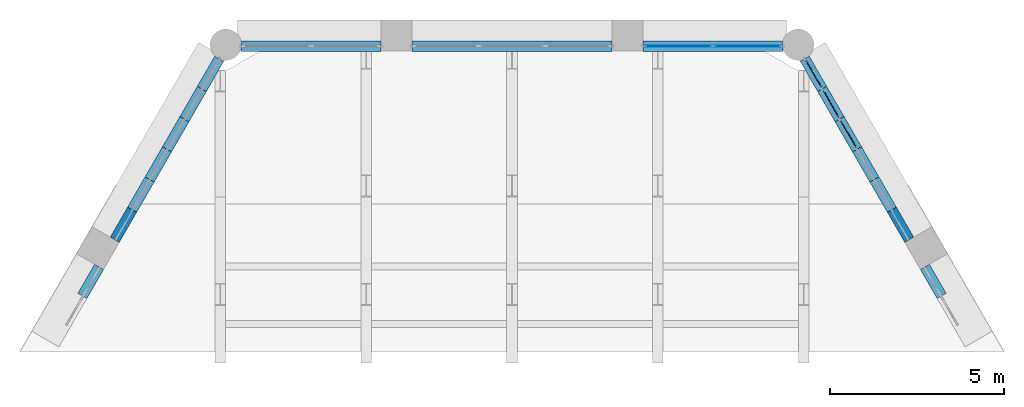
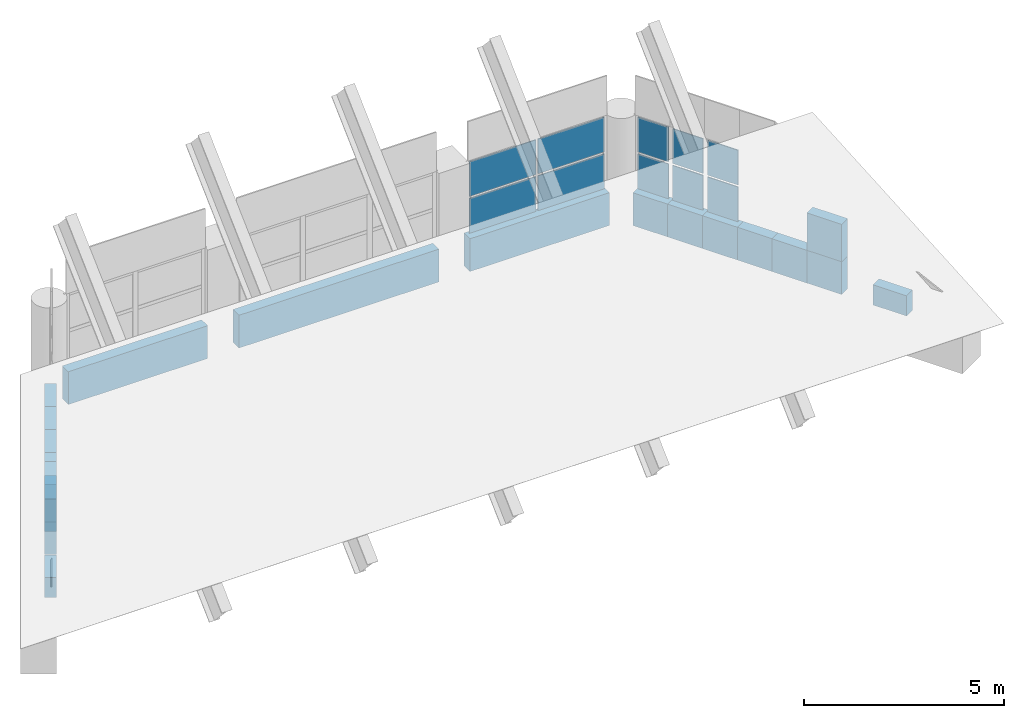
# One storey, part 10 of 11: 19 walls, 10 plates, 4 elements without a shape of their own.
"""IFC4 building model written with IfcOpenShell, lengths in metres."""

import ifcopenshell
import ifcopenshell.guid

model = None  # the IFC model being written
_history = None  # IfcOwnerHistory: only IFC2X3 demands one
_inside = {}  # id of a spatial element -> (the spatial element, [elements in it])
_under = {}  # id of a project, library or spatial element -> (it, [spatial elements below it])
_declared = {}  # id of a project -> (the project, [libraries it declares])
_typed = {}  # id of a type object -> (the type object, [elements of that type])
_made_of = {}  # id of a material, layer set ... -> (it, [elements and type objects made of it])


def new_model(schema):
    """Start an empty IFC model of exactly this schema.

    Asked for "IFC4X3", IfcOpenShell would pick the latest addendum, in which some entities
    have other attributes; the version numbers below select the first issue.
    IFC2X3 requires an IfcOwnerHistory on every rooted entity: one is made here for all.
    """
    global model, _history
    if schema == "IFC4X3":
        model = ifcopenshell.file(schema_version=(4, 3, 0, 0))
    else:
        model = ifcopenshell.file(schema=schema)
    _inside.clear()
    _under.clear()
    _declared.clear()
    _typed.clear()
    _made_of.clear()
    _history = None
    if model.schema == "IFC2X3":
        org = make("IfcOrganization", Name="unknown")
        user = make(
            "IfcPersonAndOrganization",
            ThePerson=make("IfcPerson", FamilyName="unknown"),
            TheOrganization=org,
        )
        app = make(
            "IfcApplication",
            ApplicationDeveloper=org,
            Version="unknown",
            ApplicationFullName="unknown",
            ApplicationIdentifier="unknown",
        )
        _history = make(
            "IfcOwnerHistory",
            OwningUser=user,
            OwningApplication=app,
            ChangeAction="ADDED",
            CreationDate=0,
        )
    return model


def make(cls, **values):
    """One entity of the class cls with the attributes given. An attribute that is None is left unset."""
    return model.create_entity(
        cls, **{name: value for name, value in values.items() if value is not None}
    )


def rooted(cls, **values):
    """An entity with a GlobalId (a new one), such as an element, a storey or a relation."""
    return make(cls, GlobalId=ifcopenshell.guid.new(), OwnerHistory=_history, **values)


def si_unit(unit_type, name, prefix=None):
    """IfcSIUnit, for example si_unit("LENGTHUNIT", "METRE", prefix="MILLI")."""
    return make("IfcSIUnit", UnitType=unit_type, Prefix=prefix, Name=name)


def assignment(units):
    """IfcUnitAssignment: the units of a project."""
    return None if units is None else make("IfcUnitAssignment", Units=units)


def point(xyz):
    """IfcCartesianPoint."""
    return None if xyz is None else make("IfcCartesianPoint", Coordinates=xyz)


def direction(xyz):
    """IfcDirection."""
    return None if xyz is None else make("IfcDirection", DirectionRatios=xyz)


def frame(location, z_axis=None, x_axis=None):
    """IfcAxis2Placement3D, a coordinate frame: its origin and axes. An axis left out is left unset."""
    return make(
        "IfcAxis2Placement3D",
        Location=point(location),
        Axis=direction(z_axis),
        RefDirection=direction(x_axis),
    )


def frame_2d(location, x_axis=None):
    """IfcAxis2Placement2D, a coordinate frame in the plane: its origin and x axis."""
    return make(
        "IfcAxis2Placement2D", Location=point(location), RefDirection=direction(x_axis)
    )


def origin():
    """The frame at (0, 0, 0) with its axes left unset."""
    return frame((0.0, 0.0, 0.0))


def origin_2d():
    """The frame at (0, 0) in the plane with its x axis left unset."""
    return frame_2d((0.0, 0.0))


def place(relative_to, where):
    """IfcLocalPlacement: puts the frame where relative to a parent placement (None: the world)."""
    return make(
        "IfcLocalPlacement", PlacementRelTo=relative_to, RelativePlacement=where
    )


def context(
    kind, dimensions, precision=None, world=None, true_north=None, identifier=None
):
    """IfcGeometricRepresentationContext, for example the 3D "Model" context."""
    return make(
        "IfcGeometricRepresentationContext",
        ContextIdentifier=identifier,
        ContextType=kind,
        CoordinateSpaceDimension=dimensions,
        Precision=precision,
        WorldCoordinateSystem=world,
        TrueNorth=true_north,
    )


def subcontext(parent, identifier, kind, view, scale=None):
    """IfcGeometricRepresentationSubContext, for example "Body" below "Model"."""
    return make(
        "IfcGeometricRepresentationSubContext",
        ContextIdentifier=identifier,
        ContextType=kind,
        ParentContext=parent,
        TargetScale=scale,
        TargetView=view,
    )


def project(units=None, contexts=None):
    """IfcProject with its units and contexts."""
    return rooted(
        "IfcProject",
        Name="project",
        RepresentationContexts=contexts,
        UnitsInContext=assignment(units),
    )


def spatial(cls, under=None, at=None, **own):
    """A site, building, storey or space (cls), placed at a placement, below another one or the project."""
    s = rooted(cls, ObjectPlacement=at, **own)
    if under is not None:
        _under.setdefault(under.id(), (under, []))[1].append(s)
    return s


def profile(cls, at=None, kind="AREA", **sizes):
    """A parametric profile (cls). Its sizes go by their IFC names, for example OverallWidth=200.0."""
    return make(cls, ProfileType=kind, Position=at, **sizes)


def rectangle(**sizes):
    """IfcRectangleProfileDef."""
    return profile("IfcRectangleProfileDef", **sizes)


def extrude(swept, where, along, depth):
    """IfcExtrudedAreaSolid: the profile swept, set in the frame where, extruded along a direction by depth."""
    return make(
        "IfcExtrudedAreaSolid",
        SweptArea=swept,
        Position=where,
        ExtrudedDirection=direction(along),
        Depth=depth,
    )


def shape(context_of_items, identifier, shape_type, items):
    """IfcShapeRepresentation: the items that make up one representation, for example the "Body"."""
    return make(
        "IfcShapeRepresentation",
        ContextOfItems=context_of_items,
        RepresentationIdentifier=identifier,
        RepresentationType=shape_type,
        Items=items,
    )


def material(Name=None, Category=None):
    """IfcMaterial."""
    return make("IfcMaterial", Name=Name, Category=Category)


def layer(
    of_material, thickness, ventilated=None, Name=None, Category=None, Priority=None
):
    """IfcMaterialLayer: one layer of a wall or slab, of a material (None: an air gap)."""
    return make(
        "IfcMaterialLayer",
        Material=of_material,
        LayerThickness=thickness,
        IsVentilated=ventilated,
        Name=Name,
        Category=Category,
        Priority=Priority,
    )


def layer_set(layers, Name=None):
    """IfcMaterialLayerSet."""
    return make("IfcMaterialLayerSet", MaterialLayers=layers, LayerSetName=Name)


def made_of(thing, what):
    """Note that an element or type object is made of a material, layer set ...; save() writes the relation."""
    if what is not None:
        _made_of.setdefault(what.id(), (what, []))[1].append(thing)
    return thing


def type_object(cls, material=None, **own):
    """A type object (cls), such as IfcWallType, which elements share."""
    return made_of(rooted(cls, **own), material)


def element(
    cls,
    number,
    at=None,
    inside=None,
    cuts=None,
    type_object=None,
    material=None,
    context=None,
    identifier="Body",
    shape_type=None,
    held_by="IfcProductDefinitionShape",
    body=None,
    shapes=None,
    **own,
):
    """One element of the class cls, such as IfcWall. Its Tag is "e" and its number.

    at: its placement. inside: the storey or other place that contains it. cuts: it is an
    opening in that element (IfcRelVoidsElement). A single representation is given by context,
    identifier, shape_type and body (its items); several are given by shapes. held_by: the class
    of the entity that holds the representations. save() writes the other relations.
    """
    e = rooted(cls, Tag="e%d" % number, ObjectPlacement=at, **own)
    if body is not None:
        shapes = [shape(context, identifier, shape_type, body)]
    if shapes is not None:
        e.Representation = make(held_by, Representations=shapes)
    if inside is not None:
        _inside.setdefault(inside.id(), (inside, []))[1].append(e)
    if cuts is not None:
        rooted(
            "IfcRelVoidsElement", RelatingBuildingElement=cuts, RelatedOpeningElement=e
        )
    if type_object is not None:
        _typed.setdefault(type_object.id(), (type_object, []))[1].append(e)
    return made_of(e, material)


def aggregate(whole, parts):
    """IfcRelAggregates: a whole, such as a stair, and the parts it consists of."""
    return rooted("IfcRelAggregates", RelatingObject=whole, RelatedObjects=parts)


def save(model, path):
    """Write the relations noted so far, then the file.

    IfcRelAggregates (storeys below a building ...), IfcRelContainedInSpatialStructure (elements
    in a storey), IfcRelDefinesByType, IfcRelAssociatesMaterial and IfcRelDeclares: one each for
    every whole, place, type object, material and project.
    """
    for whole, parts in _under.values():
        aggregate(whole, parts)
    for where, things in _inside.values():
        rooted(
            "IfcRelContainedInSpatialStructure",
            RelatedElements=things,
            RelatingStructure=where,
        )
    for kind, things in _typed.values():
        rooted("IfcRelDefinesByType", RelatedObjects=things, RelatingType=kind)
    for what, things in _made_of.values():
        rooted("IfcRelAssociatesMaterial", RelatedObjects=things, RelatingMaterial=what)
    for by, libraries in _declared.values():
        rooted("IfcRelDeclares", RelatingContext=by, RelatedDefinitions=libraries)
    model.write(path)


model = new_model("IFC4")

# Units and contexts
model_context = context("Model", 3, precision=1e-05, world=origin(), true_north=direction((0.0, 1.0)))
body_context = subcontext(model_context, "Body", "Model", "MODEL_VIEW")
ifc_project = project(units=[si_unit("LENGTHUNIT", "METRE"), si_unit("AREAUNIT", "SQUARE_METRE"), si_unit("VOLUMEUNIT", "CUBIC_METRE"), si_unit("PLANEANGLEUNIT", "RADIAN"), si_unit("MASSUNIT", "GRAM", prefix="KILO")], contexts=[model_context])

# Site, building, storey
site_placement = place(None, origin())
site = spatial("IfcSite", under=ifc_project, at=site_placement, CompositionType="ELEMENT")
building_placement = place(site_placement, origin())
building = spatial("IfcBuilding", under=site, at=building_placement, Name="Ostrander Bayou Hotel Tower", CompositionType="ELEMENT")
storey_placement = place(building_placement, frame((0.0, 0.0, 297.5)))
storey = spatial("IfcBuildingStorey", under=building, at=storey_placement, Name="Roof 73", CompositionType="ELEMENT", Elevation=297.5)

# Curtain wall, plates
ifc_material_1 = material(Name="Aluminium and clear glass", Category="aluminium")
curtain_wall_type = type_object("IfcCurtainWallType", Name="CW-CROWN glazed wall", PredefinedType="NOTDEFINED", material=ifc_material_1)
curtain_wall_1_placement = place(storey_placement, origin())
curtain_wall_1 = element("IfcCurtainWall", 1, at=curtain_wall_1_placement, inside=storey, type_object=curtain_wall_type, Name="CW-CROWN L73:N-1", PredefinedType="NOTDEFINED")
ifc_material_2 = material(Name="Clear laminated glass", Category="glass")
ifc_layer_1 = layer(ifc_material_2, 0.028076171875)
ifc_layer_set_1 = layer_set([ifc_layer_1], Name="CW-CR glazing panel 28 mm")
plate_type = type_object("IfcPlateType", Name="CW-CR glazing panel 28 mm", PredefinedType="CURTAIN_PANEL", material=ifc_layer_set_1)
plate_1_placement = place(storey_placement, frame((6.77685546875, 16.550048828125, 1.06005859375), z_axis=(0.0, 0.0, 1.0), x_axis=(-1.0, 0.0, 0.0)))
plate_1 = element("IfcPlate", 2, at=plate_1_placement, type_object=plate_type, Name="CW-CROWN panel 1.1", PredefinedType="CURTAIN_PANEL", context=body_context, shape_type="SweptSolid", body=[
    extrude(rectangle(XDim=1.918212890625, YDim=0.028076171875, at=origin_2d()), origin(), (0.0, 0.0, 1.0), 1.06005859375),
])
plate_2_placement = place(storey_placement, frame((6.77685546875, 16.550048828125, 2.179931640625), z_axis=(0.0, 0.0, 1.0), x_axis=(-1.0, 0.0, 0.0)))
plate_2 = element("IfcPlate", 3, at=plate_2_placement, type_object=plate_type, Name="CW-CROWN panel 1.2", PredefinedType="CURTAIN_PANEL", context=body_context, shape_type="SweptSolid", body=[
    extrude(rectangle(XDim=1.918212890625, YDim=0.028076171875, at=origin_2d()), origin(), (0.0, 0.0, 1.0), 1.06005859375),
])
plate_3_placement = place(storey_placement, frame((4.798583984375, 16.550048828125, 1.06005859375), z_axis=(0.0, 0.0, 1.0), x_axis=(-1.0, 0.0, 0.0)))
plate_3 = element("IfcPlate", 4, at=plate_3_placement, type_object=plate_type, Name="CW-CROWN panel 2.1", PredefinedType="CURTAIN_PANEL", context=body_context, shape_type="SweptSolid", body=[
    extrude(rectangle(XDim=1.918212890625, YDim=0.028076171875, at=origin_2d()), origin(), (0.0, 0.0, 1.0), 1.06005859375),
])
plate_4_placement = place(storey_placement, frame((4.798583984375, 16.550048828125, 2.179931640625), z_axis=(0.0, 0.0, 1.0), x_axis=(-1.0, 0.0, 0.0)))
plate_4 = element("IfcPlate", 5, at=plate_4_placement, type_object=plate_type, Name="CW-CROWN panel 2.2", PredefinedType="CURTAIN_PANEL", context=body_context, shape_type="SweptSolid", body=[
    extrude(rectangle(XDim=1.918212890625, YDim=0.028076171875, at=origin_2d()), origin(), (0.0, 0.0, 1.0), 1.06005859375),
])
aggregate(curtain_wall_1, [plate_1, plate_2, plate_3, plate_4])

curtain_wall_2_placement = place(storey_placement, origin())
curtain_wall_2 = element("IfcCurtainWall", 6, at=curtain_wall_2_placement, inside=storey, type_object=curtain_wall_type, Name="CW-CROWN L73:NE-3-4", PredefinedType="NOTDEFINED")
plate_5_placement = place(storey_placement, frame((9.68603515625, 14.010498046875, 1.06005859375), z_axis=(0.0, 0.0, 1.0), x_axis=(-0.499998569184, 0.866026229865, 0.0)))
plate_5 = element("IfcPlate", 7, at=plate_5_placement, type_object=plate_type, Name="CW-CROWN panel 1.1", PredefinedType="CURTAIN_PANEL", context=body_context, shape_type="SweptSolid", body=[
    extrude(rectangle(XDim=0.88330078125, YDim=0.028076171875, at=origin_2d()), origin(), (0.0, 0.0, 1.0), 1.06005859375),
])
plate_6_placement = place(storey_placement, frame((9.68603515625, 14.010498046875, 2.179931640625), z_axis=(0.0, 0.0, 1.0), x_axis=(-0.499998569184, 0.866026229865, 0.0)))
plate_6 = element("IfcPlate", 8, at=plate_6_placement, type_object=plate_type, Name="CW-CROWN panel 1.2", PredefinedType="CURTAIN_PANEL", context=body_context, shape_type="SweptSolid", body=[
    extrude(rectangle(XDim=0.88330078125, YDim=0.028076171875, at=origin_2d()), origin(), (0.0, 0.0, 1.0), 1.06005859375),
])
aggregate(curtain_wall_2, [plate_5, plate_6])

curtain_wall_3_placement = place(storey_placement, origin())
curtain_wall_3 = element("IfcCurtainWall", 9, at=curtain_wall_3_placement, inside=storey, type_object=curtain_wall_type, Name="CW-CROWN L73:NE-3-5", PredefinedType="NOTDEFINED")
plate_7_placement = place(storey_placement, frame((9.184326171875, 14.879150390625, 1.06005859375), z_axis=(0.0, 0.0, 1.0), x_axis=(-0.50004173523, 0.866001306597, 0.0)))
plate_7 = element("IfcPlate", 10, at=plate_7_placement, type_object=plate_type, Name="CW-CROWN panel 1.1", PredefinedType="CURTAIN_PANEL", context=body_context, shape_type="SweptSolid", body=[
    extrude(rectangle(XDim=0.883056640625, YDim=0.028076171875, at=origin_2d()), origin(), (0.0, 0.0, 1.0), 1.06005859375),
])
plate_8_placement = place(storey_placement, frame((9.184326171875, 14.879150390625, 2.179931640625), z_axis=(0.0, 0.0, 1.0), x_axis=(-0.50004173523, 0.866001306597, 0.0)))
plate_8 = element("IfcPlate", 11, at=plate_8_placement, type_object=plate_type, Name="CW-CROWN panel 1.2", PredefinedType="CURTAIN_PANEL", context=body_context, shape_type="SweptSolid", body=[
    extrude(rectangle(XDim=0.883056640625, YDim=0.028076171875, at=origin_2d()), origin(), (0.0, 0.0, 1.0), 1.06005859375),
])
aggregate(curtain_wall_3, [plate_7, plate_8])

curtain_wall_4_placement = place(storey_placement, origin())
curtain_wall_4 = element("IfcCurtainWall", 12, at=curtain_wall_4_placement, inside=storey, type_object=curtain_wall_type, Name="CW-CROWN L73:NE-3-6", PredefinedType="NOTDEFINED")
plate_9_placement = place(storey_placement, frame((8.682861328125, 15.748046875, 1.06005859375), z_axis=(0.0, 0.0, 1.0), x_axis=(-0.499998569184, 0.866026229865, 0.0)))
plate_9 = element("IfcPlate", 13, at=plate_9_placement, type_object=plate_type, Name="CW-CROWN panel 1.1", PredefinedType="CURTAIN_PANEL", context=body_context, shape_type="SweptSolid", body=[
    extrude(rectangle(XDim=0.88330078125, YDim=0.028076171875, at=origin_2d()), origin(), (0.0, 0.0, 1.0), 1.06005859375),
])
plate_10_placement = place(storey_placement, frame((8.682861328125, 15.748046875, 2.179931640625), z_axis=(0.0, 0.0, 1.0), x_axis=(-0.499998569184, 0.866026229865, 0.0)))
plate_10 = element("IfcPlate", 14, at=plate_10_placement, type_object=plate_type, Name="CW-CROWN panel 1.2", PredefinedType="CURTAIN_PANEL", context=body_context, shape_type="SweptSolid", body=[
    extrude(rectangle(XDim=0.88330078125, YDim=0.028076171875, at=origin_2d()), origin(), (0.0, 0.0, 1.0), 1.06005859375),
])
aggregate(curtain_wall_4, [plate_9, plate_10])

# Walls
ifc_material_3 = material(Name="Reconstituted stone on masonry backing", Category="masonry")
ifc_layer_2 = layer(ifc_material_3, 0.300048828125)
ifc_layer_set_2 = layer_set([ifc_layer_2], Name="NW1 north stone wall 300 mm")
wall_type = type_object("IfcWallType", Name="NW1 north stone wall 300 mm", PredefinedType="SOLIDWALL", material=ifc_layer_set_2)
wall_1_placement = place(storey_placement, frame((7.7958984375, 16.550048828125, 0.0), z_axis=(0.0, 0.0, 1.0), x_axis=(-1.0, 0.0, 0.0)))
element("IfcWall", 15, at=wall_1_placement, inside=storey, type_object=wall_type, Name="NW1 L73 N-1 sill", PredefinedType="SOLIDWALL", context=body_context, shape_type="SweptSolid", body=[
    extrude(rectangle(XDim=4.0166015625, YDim=0.300048828125, at=frame_2d((2.00830078125, 0.0))), origin(), (0.0, 0.0, 1.0), 1.0),
])
wall_2_placement = place(storey_placement, frame((2.87939453125, 16.550048828125, 0.0), z_axis=(0.0, 0.0, 1.0), x_axis=(-1.0, 0.0, 0.0)))
element("IfcWall", 16, at=wall_2_placement, inside=storey, type_object=wall_type, Name="NW1 L73 N-2 sill", PredefinedType="SOLIDWALL", context=body_context, shape_type="SweptSolid", body=[
    extrude(rectangle(XDim=5.7587890625, YDim=0.300048828125, at=frame_2d((2.87939453125, 0.0))), origin(), (0.0, 0.0, 1.0), 1.0),
])
wall_3_placement = place(storey_placement, frame((-3.779296875, 16.550048828125, 0.0), z_axis=(0.0, 0.0, 1.0), x_axis=(-1.0, 0.0, 0.0)))
element("IfcWall", 17, at=wall_3_placement, inside=storey, type_object=wall_type, Name="NW1 L73 N-3 sill", PredefinedType="SOLIDWALL", context=body_context, shape_type="SweptSolid", body=[
    extrude(rectangle(XDim=4.0166015625, YDim=0.300048828125, at=frame_2d((2.00830078125, 0.0))), origin(), (0.0, 0.0, 1.0), 1.0),
])
wall_4_placement = place(storey_placement, frame((-8.431884765625, 16.182373046875, 0.0), z_axis=(0.0, 0.0, 1.0), x_axis=(-0.500143783026, -0.865942374699, 0.0)))
element("IfcWall", 18, at=wall_4_placement, inside=storey, type_object=wall_type, Name="NW1 L73 NW-1-1 sill", PredefinedType="SOLIDWALL", context=body_context, shape_type="SweptSolid", body=[
    extrude(rectangle(XDim=1.003173828125, YDim=0.300048828125, at=frame_2d((0.50146484375, 0.0))), origin(), (0.0, 0.0, 1.0), 1.0),
])
wall_5_placement = place(storey_placement, frame((-8.93359375, 15.313720703125, 0.0), z_axis=(0.0, 0.0, 1.0), x_axis=(-0.500038395149, -0.8660032352, 0.0)))
element("IfcWall", 19, at=wall_5_placement, inside=storey, type_object=wall_type, Name="NW1 L73 NW-1-2 sill", PredefinedType="SOLIDWALL", context=body_context, shape_type="SweptSolid", body=[
    extrude(rectangle(XDim=1.00341796875, YDim=0.300048828125, at=frame_2d((0.501708984375, 0.0))), origin(), (0.0, 0.0, 1.0), 1.0),
])
wall_6_placement = place(storey_placement, frame((-9.435302734375, 14.44482421875, 0.0), z_axis=(0.0, 0.0, 1.0), x_axis=(-0.499961250474, -0.866047774678, 0.0)))
element("IfcWall", 20, at=wall_6_placement, inside=storey, type_object=wall_type, Name="NW1 L73 NW-1-3 sill", PredefinedType="SOLIDWALL", context=body_context, shape_type="SweptSolid", body=[
    extrude(rectangle(XDim=1.0029296875, YDim=0.300048828125, at=frame_2d((0.50146484375, 0.0))), origin(), (0.0, 0.0, 1.0), 1.0),
])
for number, where, z_axis, x_axis, name in (
    (21, (-9.936767578125, 13.576171875, 0.0), (0.0, 0.0, 1.0), (-0.499855875421, -0.866108598161, 0.0), "NW1 L73 NW-1-4 sill"),
    (22, (-10.438232421875, 12.707275390625, 0.0), (0.0, 0.0, 1.0), (-0.500143783026, -0.865942374699, 0.0), "NW1 L73 NW-1-5 sill"),
    (23, (-10.93994140625, 11.838623046875, 0.0), (0.0, 0.0, 1.0), (-0.499855875421, -0.866108598161, 0.0), "NW1 L73 NW-1-6 sill"),
):
    element("IfcWall", number, at=place(storey_placement, frame(where, z_axis=z_axis, x_axis=x_axis)), inside=storey, type_object=wall_type, Name=name, PredefinedType="SOLIDWALL", context=body_context, shape_type="SweptSolid", body=[
        extrude(rectangle(XDim=1.003173828125, YDim=0.300048828125, at=frame_2d((0.50146484375, 0.0))), origin(), (0.0, 0.0, 1.0), 1.0),
    ])
wall_7_placement = place(storey_placement, frame((-10.93994140625, 11.838623046875, 1.0), z_axis=(0.0, 0.0, 1.0), x_axis=(-0.499855875421, -0.866108598161, 0.0)))
element("IfcWall", 24, at=wall_7_placement, inside=storey, type_object=wall_type, Name="NW1 L73 NW-1-6 infill", PredefinedType="SOLIDWALL", context=body_context, shape_type="SweptSolid", body=[
    extrude(rectangle(XDim=1.003173828125, YDim=0.300048828125, at=frame_2d((0.50146484375, 0.0))), origin(), (0.0, 0.0, 1.0), 1.1376953125),
])
for number, where, z_axis, x_axis, name in (
    (25, (-11.8916015625, 10.1904296875, 0.0), (0.0, 0.0, 1.0), (-0.499868518472, -0.866101301373, 0.0), "NW1 L73 NW-2-1 sill"),
    (26, (12.373779296875, 9.35498046875, 0.0), (0.0, 0.0, 1.0), (-0.499868518472, 0.866101301373, 0.0), "NW1 L73 NE-2-6 sill"),
):
    element("IfcWall", number, at=place(storey_placement, frame(where, z_axis=z_axis, x_axis=x_axis)), inside=storey, type_object=wall_type, Name=name, PredefinedType="SOLIDWALL", context=body_context, shape_type="SweptSolid", body=[
        extrude(rectangle(XDim=0.964599609375, YDim=0.300048828125, at=frame_2d((0.482421875, 0.0))), origin(), (0.0, 0.0, 1.0), 0.61669921875),
    ])
wall_8_placement = place(storey_placement, frame((11.44140625, 10.9697265625, 0.0), z_axis=(0.0, 0.0, 1.0), x_axis=(-0.499855875421, 0.866108598161, 0.0)))
element("IfcWall", 27, at=wall_8_placement, inside=storey, type_object=wall_type, Name="NW1 L73 NE-3-1 sill", PredefinedType="SOLIDWALL", context=body_context, shape_type="SweptSolid", body=[
    extrude(rectangle(XDim=1.003173828125, YDim=0.300048828125, at=frame_2d((0.50146484375, 0.0))), origin(), (0.0, 0.0, 1.0), 1.0),
])
wall_9_placement = place(storey_placement, frame((11.44140625, 10.9697265625, 1.0), z_axis=(0.0, 0.0, 1.0), x_axis=(-0.499855875421, 0.866108598161, 0.0)))
element("IfcWall", 28, at=wall_9_placement, inside=storey, type_object=wall_type, Name="NW1 L73 NE-3-1 infill", PredefinedType="SOLIDWALL", context=body_context, shape_type="SweptSolid", body=[
    extrude(rectangle(XDim=1.003173828125, YDim=0.300048828125, at=frame_2d((0.50146484375, 0.0))), origin(), (0.0, 0.0, 1.0), 1.1376953125),
])
for number, where, z_axis, x_axis, name in (
    (29, (10.93994140625, 11.838623046875, 0.0), (0.0, 0.0, 1.0), (-0.500143783026, 0.865942374699, 0.0), "NW1 L73 NE-3-2 sill"),
    (30, (10.438232421875, 12.707275390625, 0.0), (0.0, 0.0, 1.0), (-0.499855875421, 0.866108598161, 0.0), "NW1 L73 NE-3-3 sill"),
):
    element("IfcWall", number, at=place(storey_placement, frame(where, z_axis=z_axis, x_axis=x_axis)), inside=storey, type_object=wall_type, Name=name, PredefinedType="SOLIDWALL", context=body_context, shape_type="SweptSolid", body=[
        extrude(rectangle(XDim=1.003173828125, YDim=0.300048828125, at=frame_2d((0.50146484375, 0.0))), origin(), (0.0, 0.0, 1.0), 1.0),
    ])
wall_10_placement = place(storey_placement, frame((9.936767578125, 13.576171875, 0.0), z_axis=(0.0, 0.0, 1.0), x_axis=(-0.499961250474, 0.866047774678, 0.0)))
element("IfcWall", 31, at=wall_10_placement, inside=storey, type_object=wall_type, Name="NW1 L73 NE-3-4 sill", PredefinedType="SOLIDWALL", context=body_context, shape_type="SweptSolid", body=[
    extrude(rectangle(XDim=1.0029296875, YDim=0.300048828125, at=frame_2d((0.50146484375, 0.0))), origin(), (0.0, 0.0, 1.0), 1.0),
])
wall_11_placement = place(storey_placement, frame((9.435302734375, 14.44482421875, 0.0), z_axis=(0.0, 0.0, 1.0), x_axis=(-0.500038395149, 0.8660032352, 0.0)))
element("IfcWall", 32, at=wall_11_placement, inside=storey, type_object=wall_type, Name="NW1 L73 NE-3-5 sill", PredefinedType="SOLIDWALL", context=body_context, shape_type="SweptSolid", body=[
    extrude(rectangle(XDim=1.00341796875, YDim=0.300048828125, at=frame_2d((0.501708984375, 0.0))), origin(), (0.0, 0.0, 1.0), 1.0),
])
wall_12_placement = place(storey_placement, frame((8.93359375, 15.313720703125, 0.0), z_axis=(0.0, 0.0, 1.0), x_axis=(-0.500143783026, 0.865942374699, 0.0)))
element("IfcWall", 33, at=wall_12_placement, inside=storey, type_object=wall_type, Name="NW1 L73 NE-3-6 sill", PredefinedType="SOLIDWALL", context=body_context, shape_type="SweptSolid", body=[
    extrude(rectangle(XDim=1.003173828125, YDim=0.300048828125, at=frame_2d((0.50146484375, 0.0))), origin(), (0.0, 0.0, 1.0), 1.0),
])

save(model, "model.ifc")
